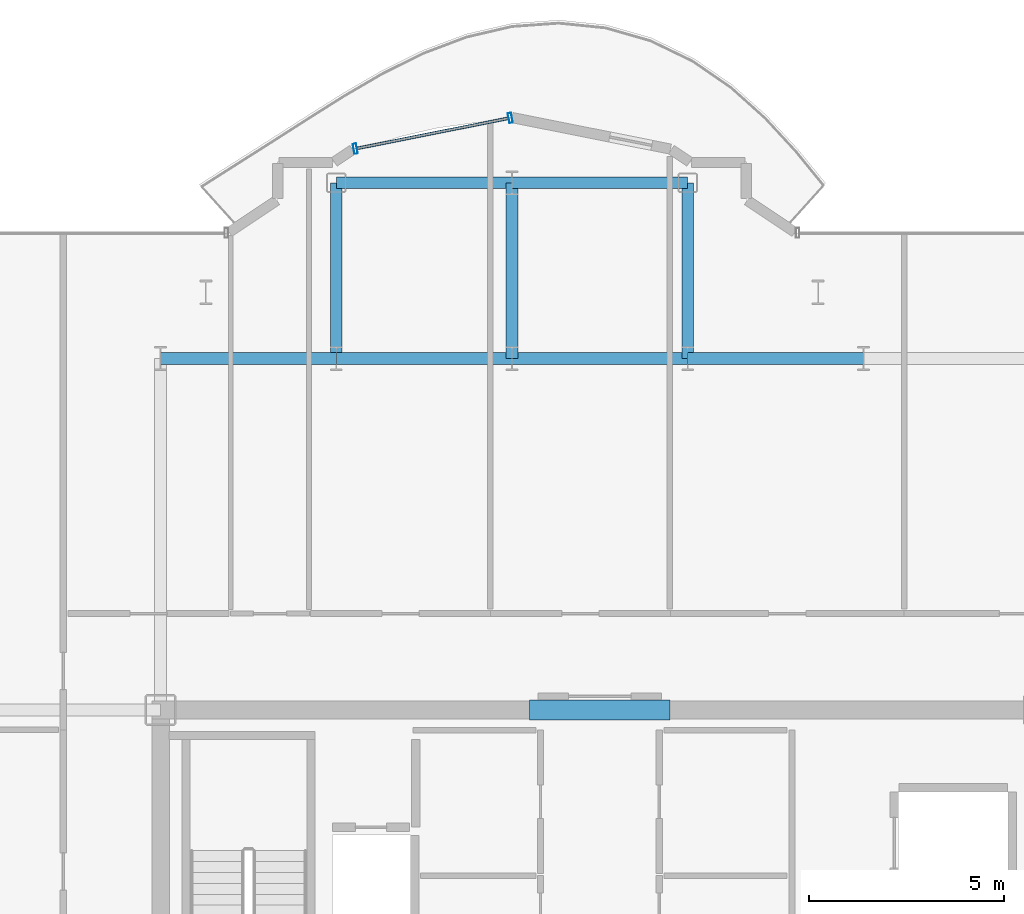
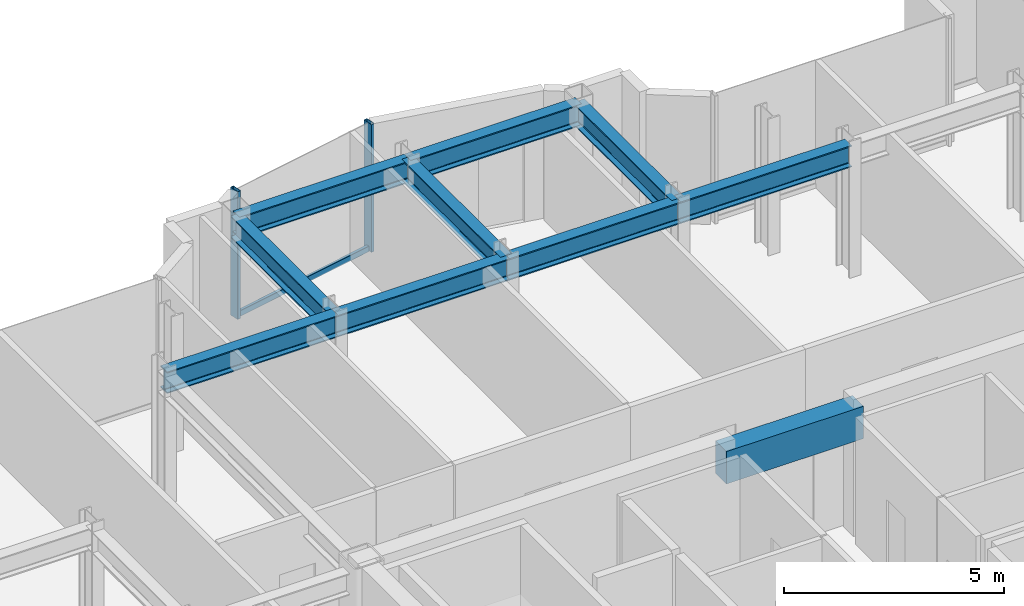
# One storey, part 10 of 18: 10 beams, 3 members, 1 element without a shape of its own.
"""IFC4 building model written with IfcOpenShell, lengths in metres."""

import ifcopenshell
import ifcopenshell.guid

model = None  # the IFC model being written
_history = None  # IfcOwnerHistory: only IFC2X3 demands one
_inside = {}  # id of a spatial element -> (the spatial element, [elements in it])
_under = {}  # id of a project, library or spatial element -> (it, [spatial elements below it])
_declared = {}  # id of a project -> (the project, [libraries it declares])
_typed = {}  # id of a type object -> (the type object, [elements of that type])
_made_of = {}  # id of a material, layer set ... -> (it, [elements and type objects made of it])


def new_model(schema):
    """Start an empty IFC model of exactly this schema.

    Asked for "IFC4X3", IfcOpenShell would pick the latest addendum, in which some entities
    have other attributes; the version numbers below select the first issue.
    IFC2X3 requires an IfcOwnerHistory on every rooted entity: one is made here for all.
    """
    global model, _history
    if schema == "IFC4X3":
        model = ifcopenshell.file(schema_version=(4, 3, 0, 0))
    else:
        model = ifcopenshell.file(schema=schema)
    _inside.clear()
    _under.clear()
    _declared.clear()
    _typed.clear()
    _made_of.clear()
    _history = None
    if model.schema == "IFC2X3":
        org = make("IfcOrganization", Name="unknown")
        user = make(
            "IfcPersonAndOrganization",
            ThePerson=make("IfcPerson", FamilyName="unknown"),
            TheOrganization=org,
        )
        app = make(
            "IfcApplication",
            ApplicationDeveloper=org,
            Version="unknown",
            ApplicationFullName="unknown",
            ApplicationIdentifier="unknown",
        )
        _history = make(
            "IfcOwnerHistory",
            OwningUser=user,
            OwningApplication=app,
            ChangeAction="ADDED",
            CreationDate=0,
        )
    return model


def make(cls, **values):
    """One entity of the class cls with the attributes given. An attribute that is None is left unset."""
    return model.create_entity(
        cls, **{name: value for name, value in values.items() if value is not None}
    )


def rooted(cls, **values):
    """An entity with a GlobalId (a new one), such as an element, a storey or a relation."""
    return make(cls, GlobalId=ifcopenshell.guid.new(), OwnerHistory=_history, **values)


def si_unit(unit_type, name, prefix=None):
    """IfcSIUnit, for example si_unit("LENGTHUNIT", "METRE", prefix="MILLI")."""
    return make("IfcSIUnit", UnitType=unit_type, Prefix=prefix, Name=name)


def assignment(units):
    """IfcUnitAssignment: the units of a project."""
    return None if units is None else make("IfcUnitAssignment", Units=units)


def point(xyz):
    """IfcCartesianPoint."""
    return None if xyz is None else make("IfcCartesianPoint", Coordinates=xyz)


def direction(xyz):
    """IfcDirection."""
    return None if xyz is None else make("IfcDirection", DirectionRatios=xyz)


def frame(location, z_axis=None, x_axis=None):
    """IfcAxis2Placement3D, a coordinate frame: its origin and axes. An axis left out is left unset."""
    return make(
        "IfcAxis2Placement3D",
        Location=point(location),
        Axis=direction(z_axis),
        RefDirection=direction(x_axis),
    )


def frame_2d(location, x_axis=None):
    """IfcAxis2Placement2D, a coordinate frame in the plane: its origin and x axis."""
    return make(
        "IfcAxis2Placement2D", Location=point(location), RefDirection=direction(x_axis)
    )


def origin():
    """The frame at (0, 0, 0) with its axes left unset."""
    return frame((0.0, 0.0, 0.0))


def origin_2d():
    """The frame at (0, 0) in the plane with its x axis left unset."""
    return frame_2d((0.0, 0.0))


def place(relative_to, where):
    """IfcLocalPlacement: puts the frame where relative to a parent placement (None: the world)."""
    return make(
        "IfcLocalPlacement", PlacementRelTo=relative_to, RelativePlacement=where
    )


def context(
    kind, dimensions, precision=None, world=None, true_north=None, identifier=None
):
    """IfcGeometricRepresentationContext, for example the 3D "Model" context."""
    return make(
        "IfcGeometricRepresentationContext",
        ContextIdentifier=identifier,
        ContextType=kind,
        CoordinateSpaceDimension=dimensions,
        Precision=precision,
        WorldCoordinateSystem=world,
        TrueNorth=true_north,
    )


def subcontext(parent, identifier, kind, view, scale=None):
    """IfcGeometricRepresentationSubContext, for example "Body" below "Model"."""
    return make(
        "IfcGeometricRepresentationSubContext",
        ContextIdentifier=identifier,
        ContextType=kind,
        ParentContext=parent,
        TargetScale=scale,
        TargetView=view,
    )


def project(units=None, contexts=None):
    """IfcProject with its units and contexts."""
    return rooted(
        "IfcProject",
        Name="project",
        RepresentationContexts=contexts,
        UnitsInContext=assignment(units),
    )


def spatial(cls, under=None, at=None, **own):
    """A site, building, storey or space (cls), placed at a placement, below another one or the project."""
    s = rooted(cls, ObjectPlacement=at, **own)
    if under is not None:
        _under.setdefault(under.id(), (under, []))[1].append(s)
    return s


def profile(cls, at=None, kind="AREA", **sizes):
    """A parametric profile (cls). Its sizes go by their IFC names, for example OverallWidth=200.0."""
    return make(cls, ProfileType=kind, Position=at, **sizes)


def rectangle(**sizes):
    """IfcRectangleProfileDef."""
    return profile("IfcRectangleProfileDef", **sizes)


def hollow_rectangle(**sizes):
    """IfcRectangleHollowProfileDef."""
    return profile("IfcRectangleHollowProfileDef", **sizes)


def i_section(**sizes):
    """IfcIShapeProfileDef."""
    return profile("IfcIShapeProfileDef", **sizes)


def extrude(swept, where, along, depth):
    """IfcExtrudedAreaSolid: the profile swept, set in the frame where, extruded along a direction by depth."""
    return make(
        "IfcExtrudedAreaSolid",
        SweptArea=swept,
        Position=where,
        ExtrudedDirection=direction(along),
        Depth=depth,
    )


def shape(context_of_items, identifier, shape_type, items):
    """IfcShapeRepresentation: the items that make up one representation, for example the "Body"."""
    return make(
        "IfcShapeRepresentation",
        ContextOfItems=context_of_items,
        RepresentationIdentifier=identifier,
        RepresentationType=shape_type,
        Items=items,
    )


def source(mapping_origin, context_of_items, identifier, shape_type, items):
    """IfcRepresentationMap: a shape defined once, which mapped items show again and again."""
    return make(
        "IfcRepresentationMap",
        MappingOrigin=mapping_origin,
        MappedRepresentation=shape(context_of_items, identifier, shape_type, items),
    )


def transform(
    local_origin,
    x_axis=None,
    y_axis=None,
    z_axis=None,
    scale=None,
    scale2=None,
    scale3=None,
    uniform=True,
):
    """IfcCartesianTransformationOperator3D, or its non-uniform kind. x_axis, y_axis, z_axis: its Axis1, 2, 3."""
    if uniform:
        return make(
            "IfcCartesianTransformationOperator3D",
            Axis1=direction(x_axis),
            Axis2=direction(y_axis),
            LocalOrigin=point(local_origin),
            Scale=scale,
            Axis3=direction(z_axis),
        )
    return make(
        "IfcCartesianTransformationOperator3DnonUniform",
        Axis1=direction(x_axis),
        Axis2=direction(y_axis),
        LocalOrigin=point(local_origin),
        Scale=scale,
        Axis3=direction(z_axis),
        Scale2=scale2,
        Scale3=scale3,
    )


def mapped(mapping_source, mapping_target):
    """IfcMappedItem: shows the shape of a source again, moved by a transform."""
    return make(
        "IfcMappedItem", MappingSource=mapping_source, MappingTarget=mapping_target
    )


def material(Name=None, Category=None):
    """IfcMaterial."""
    return make("IfcMaterial", Name=Name, Category=Category)


def layer(
    of_material, thickness, ventilated=None, Name=None, Category=None, Priority=None
):
    """IfcMaterialLayer: one layer of a wall or slab, of a material (None: an air gap)."""
    return make(
        "IfcMaterialLayer",
        Material=of_material,
        LayerThickness=thickness,
        IsVentilated=ventilated,
        Name=Name,
        Category=Category,
        Priority=Priority,
    )


def layer_set(layers, Name=None):
    """IfcMaterialLayerSet."""
    return make("IfcMaterialLayerSet", MaterialLayers=layers, LayerSetName=Name)


def material_profile(
    of_material, cross_section, Name=None, Category=None, Priority=None
):
    """IfcMaterialProfile: a cross section and its material."""
    return make(
        "IfcMaterialProfile",
        Name=Name,
        Material=of_material,
        Profile=cross_section,
        Priority=Priority,
        Category=Category,
    )


def profile_set(profiles, Name=None, composite=None):
    """IfcMaterialProfileSet."""
    return make(
        "IfcMaterialProfileSet",
        Name=Name,
        MaterialProfiles=profiles,
        CompositeProfile=composite,
    )


def made_of(thing, what):
    """Note that an element or type object is made of a material, layer set ...; save() writes the relation."""
    if what is not None:
        _made_of.setdefault(what.id(), (what, []))[1].append(thing)
    return thing


def type_object(cls, material=None, **own):
    """A type object (cls), such as IfcWallType, which elements share."""
    return made_of(rooted(cls, **own), material)


def element(
    cls,
    number,
    at=None,
    inside=None,
    cuts=None,
    type_object=None,
    material=None,
    context=None,
    identifier="Body",
    shape_type=None,
    held_by="IfcProductDefinitionShape",
    body=None,
    shapes=None,
    **own,
):
    """One element of the class cls, such as IfcWall. Its Tag is "e" and its number.

    at: its placement. inside: the storey or other place that contains it. cuts: it is an
    opening in that element (IfcRelVoidsElement). A single representation is given by context,
    identifier, shape_type and body (its items); several are given by shapes. held_by: the class
    of the entity that holds the representations. save() writes the other relations.
    """
    e = rooted(cls, Tag="e%d" % number, ObjectPlacement=at, **own)
    if body is not None:
        shapes = [shape(context, identifier, shape_type, body)]
    if shapes is not None:
        e.Representation = make(held_by, Representations=shapes)
    if inside is not None:
        _inside.setdefault(inside.id(), (inside, []))[1].append(e)
    if cuts is not None:
        rooted(
            "IfcRelVoidsElement", RelatingBuildingElement=cuts, RelatedOpeningElement=e
        )
    if type_object is not None:
        _typed.setdefault(type_object.id(), (type_object, []))[1].append(e)
    return made_of(e, material)


def aggregate(whole, parts):
    """IfcRelAggregates: a whole, such as a stair, and the parts it consists of."""
    return rooted("IfcRelAggregates", RelatingObject=whole, RelatedObjects=parts)


def save(model, path):
    """Write the relations noted so far, then the file.

    IfcRelAggregates (storeys below a building ...), IfcRelContainedInSpatialStructure (elements
    in a storey), IfcRelDefinesByType, IfcRelAssociatesMaterial and IfcRelDeclares: one each for
    every whole, place, type object, material and project.
    """
    for whole, parts in _under.values():
        aggregate(whole, parts)
    for where, things in _inside.values():
        rooted(
            "IfcRelContainedInSpatialStructure",
            RelatedElements=things,
            RelatingStructure=where,
        )
    for kind, things in _typed.values():
        rooted("IfcRelDefinesByType", RelatedObjects=things, RelatingType=kind)
    for what, things in _made_of.values():
        rooted("IfcRelAssociatesMaterial", RelatedObjects=things, RelatingMaterial=what)
    for by, libraries in _declared.values():
        rooted("IfcRelDeclares", RelatingContext=by, RelatedDefinitions=libraries)
    model.write(path)


model = new_model("IFC4")

# Units and contexts
model_context = context("Model", 3, precision=1e-05, world=origin(), true_north=direction((0.0, 1.0)))
body_context = subcontext(model_context, "Body", "Model", "MODEL_VIEW")
ifc_project = project(units=[si_unit("LENGTHUNIT", "METRE"), si_unit("AREAUNIT", "SQUARE_METRE"), si_unit("VOLUMEUNIT", "CUBIC_METRE"), si_unit("PLANEANGLEUNIT", "RADIAN"), si_unit("MASSUNIT", "GRAM", prefix="KILO")], contexts=[model_context])

# Site, building, storey
site_placement = place(None, origin())
site = spatial("IfcSite", under=ifc_project, at=site_placement, CompositionType="ELEMENT")
building_placement = place(site_placement, origin())
building = spatial("IfcBuilding", under=site, at=building_placement, Name="Nefas-Gora Pilgrimage Tower", CompositionType="ELEMENT")
storey_placement = place(building_placement, frame((0.0, 0.0, 295.0)))
storey = spatial("IfcBuildingStorey", under=building, at=storey_placement, Name="L74", CompositionType="ELEMENT", Elevation=295.0)

# Beams
ifc_material_1 = material(Name="Concrete C50/60", Category="concrete")
ifc_material_profile_1 = material_profile(ifc_material_1, rectangle(XDim=0.5, YDim=0.89990234375, at=origin_2d()), Name="RC 500x900")
ifc_profile_set_1 = profile_set([ifc_material_profile_1], Name="Concrete C50/60")
beam_type_1 = type_object("IfcBeamType", Name="BM-LIN-RC900", PredefinedType="LINTEL", material=ifc_profile_set_1)
shared_shape_1 = source(origin(), body_context, "Body", "SweptSolid", [
    extrude(rectangle(XDim=0.5, YDim=0.89990234375, at=origin_2d()), origin(), (0.0, 0.0, 1.0), 3.60009765625),
])
beam_placement = place(storey_placement, frame((-1.800048828125, 9.0, 3.10009765625), z_axis=(1.0, 0.0, 0.0), x_axis=(0.0, 1.0, 0.0)))
element("IfcBeam", 1, at=beam_placement, inside=storey, type_object=beam_type_1, Name="L74 Core Coupling Lintel Beam N", PredefinedType="LINTEL", context=body_context, shape_type="MappedRepresentation", body=[
    mapped(shared_shape_1, transform((0.0, 0.0, 0.0), x_axis=(1.0, 0.0, 0.0), y_axis=(0.0, 1.0, 0.0), z_axis=(0.0, 0.0, 1.0), scale=1.0)),
])
ifc_material_2 = material(Name="Steel S355", Category="steel")
ifc_material_profile_2 = material_profile(ifc_material_2, i_section(OverallWidth=0.300048828125, OverallDepth=0.60009765625, WebThickness=0.015380859375, FlangeThickness=0.030029296875, FilletRadius=0.027099609375, at=origin_2d()), Name="HEB 600")
ifc_profile_set_2 = profile_set([ifc_material_profile_2], Name="Steel S355")
beam_type_2 = type_object("IfcBeamType", Name="BM-GIR-HEB600", PredefinedType="BEAM", material=ifc_profile_set_2)
shared_shape_2 = source(origin(), body_context, "Body", "SweptSolid", [
    extrude(i_section(OverallWidth=0.300048828125, OverallDepth=0.60009765625, WebThickness=0.015380859375, FlangeThickness=0.030029296875, FilletRadius=0.027099609375, at=origin_2d()), origin(), (0.0, 0.0, 1.0), 4.5),
])
for number, where, z_axis, x_axis, name in (
    (2, (-11.25, 18.0, 3.25), (1.0, 0.0, 0.0), (0.0, 1.0, 0.0), "L74 G-04 beam"),
    (3, (-6.75, 18.0, 3.25), (0.0, 1.0, 0.0), (-1.0, 0.0, 0.0), "L74 G-04 beam"),
    (4, (-6.75, 18.0, 3.25), (1.0, 0.0, 0.0), (0.0, 1.0, 0.0), "L74 G-04 beam"),
    (5, (-6.75, 22.5, 3.25), (1.0, 0.0, 0.0), (0.0, 1.0, 0.0), "L74 G-04 beam"),
    (6, (-2.25, 18.0, 3.25), (0.0, 1.0, 0.0), (-1.0, 0.0, 0.0), "L74 G-04 beam"),
    (7, (-2.25, 18.0, 3.25), (1.0, 0.0, 0.0), (0.0, 1.0, 0.0), "L74 G-04 beam"),
    (8, (-2.25, 22.5, 3.25), (1.0, 0.0, 0.0), (0.0, 1.0, 0.0), "L74 G-04 beam"),
    (9, (2.25, 18.0, 3.25), (0.0, 1.0, 0.0), (-1.0, 0.0, 0.0), "L74 G-04 beam"),
    (10, (2.25, 18.0, 3.25), (1.0, 0.0, 0.0), (0.0, 1.0, 0.0), "L74 G-04 beam"),
):
    element("IfcBeam", number, at=place(storey_placement, frame(where, z_axis=z_axis, x_axis=x_axis)), inside=storey, type_object=beam_type_2, Name=name, PredefinedType="BEAM", context=body_context, shape_type="MappedRepresentation", body=[
        mapped(shared_shape_2, transform((0.0, 0.0, 0.0), x_axis=(1.0, 0.0, 0.0), y_axis=(0.0, 1.0, 0.0), z_axis=(0.0, 0.0, 1.0), scale=1.0)),
    ])

# Curtain wall, members
ifc_material_3 = material(Name="Dark ceramic-fritted solar-control aluminium-glass curtain wall", Category="aluminium")
ifc_layer = layer(ifc_material_3, 0.219970703125)
ifc_layer_set = layer_set([ifc_layer], Name="Dark ceramic-fritted solar-control aluminium-glass curtain wall")
curtain_wall_type = type_object("IfcCurtainWallType", Name="CW-SYS-5", PredefinedType="NOTDEFINED", material=ifc_layer_set)
curtain_wall_placement = place(storey_placement, origin())
curtain_wall = element("IfcCurtainWall", 11, at=curtain_wall_placement, inside=storey, type_object=curtain_wall_type, Name="L74 Unitised Curtain Wall CW5", PredefinedType="NOTDEFINED")
ifc_material_4 = material(Name="Anodised architectural aluminium", Category="aluminium")
ifc_material_profile_3 = material_profile(ifc_material_4, hollow_rectangle(XDim=0.090087890625, YDim=0.260009765625, WallThickness=0.006103515625, InnerFilletRadius=0.006103515625, OuterFilletRadius=0.011962890625, at=origin_2d()), Name="ALU MULLION 90x260")
ifc_profile_set_3 = profile_set([ifc_material_profile_3], Name="Anodised architectural aluminium")
member_type_1 = type_object("IfcMemberType", Name="CWM-MUL-5", PredefinedType="MULLION", material=ifc_profile_set_3)
shared_shape_3 = source(origin(), body_context, "Body", "SweptSolid", [
    extrude(hollow_rectangle(XDim=0.090087890625, YDim=0.260009765625, WallThickness=0.006103515625, InnerFilletRadius=0.006103515625, OuterFilletRadius=0.011962890625, at=origin_2d()), origin(), (0.0, 0.0, 1.0), 3.550048828125),
])
member_1_placement = place(storey_placement, frame((-2.294189453125, 24.16357421875, 0.0), z_axis=(0.0, 0.0, 1.0), x_axis=(-0.980782896852, -0.195102304554, 0.0)))
member_1 = element("IfcMember", 12, at=member_1_placement, type_object=member_type_1, Name="CW5 Mullion 1", PredefinedType="MULLION", context=body_context, shape_type="MappedRepresentation", body=[
    mapped(shared_shape_3, transform((0.0, 0.0, 0.0), x_axis=(1.0, 0.0, 0.0), y_axis=(0.0, 1.0, 0.0), z_axis=(0.0, 0.0, 1.0), scale=1.0)),
])
member_2_placement = place(storey_placement, frame((-6.26318359375, 23.3740234375, 0.0), z_axis=(0.0, 0.0, 1.0), x_axis=(-0.980782896852, -0.195102304554, 0.0)))
member_2 = element("IfcMember", 13, at=member_2_placement, type_object=member_type_1, Name="CW5 Mullion 2", PredefinedType="MULLION", context=body_context, shape_type="MappedRepresentation", body=[
    mapped(shared_shape_3, transform((0.0, 0.0, 0.0), x_axis=(1.0, 0.0, 0.0), y_axis=(0.0, 1.0, 0.0), z_axis=(0.0, 0.0, 1.0), scale=1.0)),
])
ifc_material_profile_4 = material_profile(ifc_material_4, hollow_rectangle(XDim=0.080078125, YDim=0.159912109375, WallThickness=0.00439453125, InnerFilletRadius=0.00439453125, OuterFilletRadius=0.009033203125, at=origin_2d()), Name="ALU TRANSOM 80x160")
ifc_profile_set_4 = profile_set([ifc_material_profile_4], Name="Anodised architectural aluminium")
member_type_2 = type_object("IfcMemberType", Name="CWM-TRN-5", PredefinedType="USERDEFINED", material=ifc_profile_set_4)
shared_shape_4 = source(origin(), body_context, "Body", "SweptSolid", [
    extrude(hollow_rectangle(XDim=0.080078125, YDim=0.159912109375, WallThickness=0.00439453125, InnerFilletRadius=0.00439453125, OuterFilletRadius=0.009033203125, at=origin_2d()), origin(), (0.0, 0.0, 1.0), 3.95654296875),
])
member_3_placement = place(storey_placement, frame((-2.33837890625, 24.15478515625, 0.050048828125), z_axis=(-0.980781880918, -0.195107411605, 0.0), x_axis=(0.195107411605, -0.980781880918, 0.0)))
member_3 = element("IfcMember", 14, at=member_3_placement, type_object=member_type_2, Name="CW5 Spandrel Transom", ObjectType="TRANSOM", PredefinedType="USERDEFINED", context=body_context, shape_type="MappedRepresentation", body=[
    mapped(shared_shape_4, transform((0.0, 0.0, 0.0), x_axis=(1.0, 0.0, 0.0), y_axis=(0.0, 1.0, 0.0), z_axis=(0.0, 0.0, 1.0), scale=1.0)),
])
aggregate(curtain_wall, [member_1, member_2, member_3])

save(model, "model.ifc")
